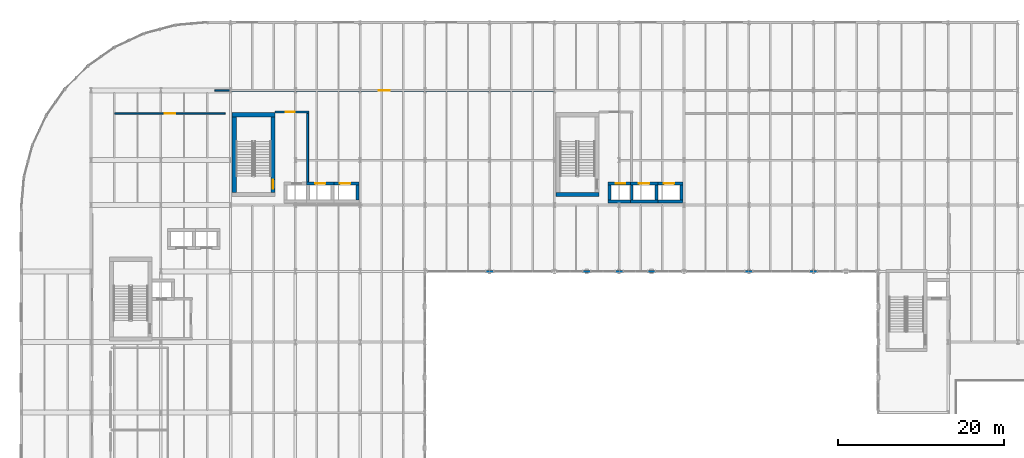
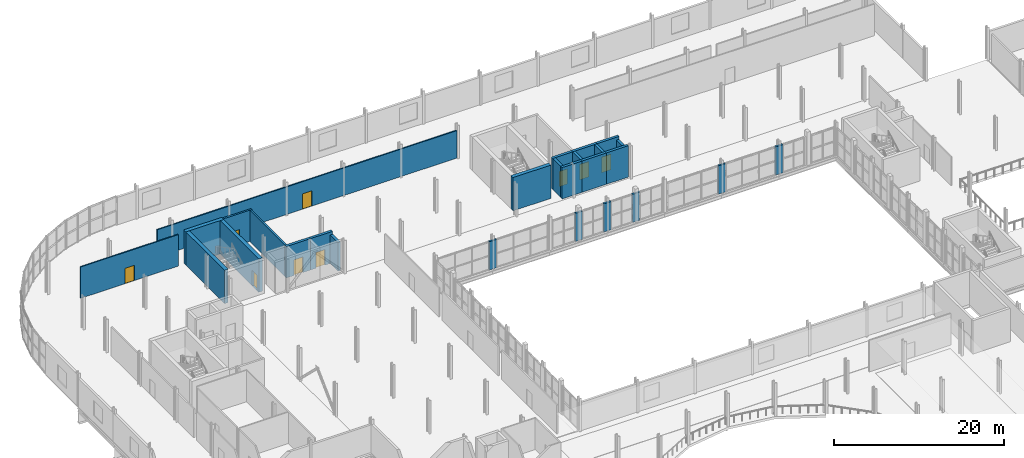
# One storey, part 51 of 63: 27 walls, 9 doors, 9 openings.
"""IFC4 building model written with IfcOpenShell, lengths in metres."""

from ifc_helpers import new_model, si_unit, direction, frame, frame_2d, origin, place, context, subcontext, project, spatial, rectangle, extrude, material, layer, layer_set, type_object, element, fill, save


model = new_model("IFC4")

# Units and contexts
model_context = context("Model", 3, precision=1e-05, world=origin(), true_north=direction((0.0, 1.0)))
body_context = subcontext(model_context, "Body", "Model", "MODEL_VIEW")
ifc_project = project(units=[si_unit("LENGTHUNIT", "METRE"), si_unit("AREAUNIT", "SQUARE_METRE"), si_unit("VOLUMEUNIT", "CUBIC_METRE"), si_unit("PLANEANGLEUNIT", "RADIAN"), si_unit("MASSUNIT", "GRAM", prefix="KILO")], contexts=[model_context])

# Site, building, storey
site_placement = place(None, origin())
site = spatial("IfcSite", under=ifc_project, at=site_placement, CompositionType="ELEMENT")
building_placement = place(site_placement, origin())
building = spatial("IfcBuilding", under=site, at=building_placement, Name="Sefraquen Railside Congress Hotel", CompositionType="ELEMENT")
storey_placement = place(building_placement, frame((0.0, 0.0, 11.39990234375)))
storey = spatial("IfcBuildingStorey", under=building, at=storey_placement, Name="L02", CompositionType="ELEMENT", Elevation=11.39990234375)

# Wall, opening, door
ifc_material_1 = material(Name="Concrete C50/60", Category="concrete")
ifc_layer_1 = layer(ifc_material_1, 0.35009765625)
ifc_layer_set_1 = layer_set([ifc_layer_1], Name="Concrete C50/60")
wall_type_1 = type_object("IfcWallType", Name="TW-CW-350", PredefinedType="SHEAR", material=ifc_layer_set_1)
wall_1_placement = place(storey_placement, frame((70.639892578125, 98.594970703125, 0.0), z_axis=(0.0, 0.0, 1.0), x_axis=(1.0, 0.0, 0.0)))
wall_1 = element("IfcWall", 1, at=wall_1_placement, inside=storey, type_object=wall_type_1, Name="Lift FL-03 shaft wall N L02", PredefinedType="SHEAR", context=body_context, shape_type="SweptSolid", body=[
    extrude(rectangle(XDim=2.690185546875, YDim=0.35009765625, at=frame_2d((1.34521484375, 0.0))), origin(), (0.0, 0.0, 1.0), 4.52001953125),
])
opening_1_placement = place(wall_1_placement, frame((0.969970703125, 0.0, 0.0)))
opening_1 = element("IfcOpeningElement", 2, at=opening_1_placement, cuts=wall_1, Name="Opening LD-01", PredefinedType="OPENING", context=body_context, shape_type="SweptSolid", body=[
    extrude(rectangle(XDim=1.10009765625, YDim=2.199951171875, at=frame_2d((0.550048828125, 1.10009765625))), frame((0.0, 0.18505859375, 0.0), z_axis=(0.0, -1.0, 0.0), x_axis=(1.0, 0.0, 0.0)), (0.0, 0.0, 1.0), 0.3701171875),
])
ifc_material_2 = material(Name="Brushed bronze stainless steel", Category="steel")
door_type_1 = type_object("IfcDoorType", Name="TD-LD-01", OperationType="NOTDEFINED", PredefinedType="DOOR", material=ifc_material_2)
door_1_placement = place(opening_1_placement, origin())
door_1 = element("IfcDoor", 3, at=door_1_placement, inside=storey, type_object=door_type_1, Name="Lift landing door FL-03 L02", OperationType="SLIDING_TO_LEFT", OverallHeight=2.199951171875, OverallWidth=1.10009765625, PredefinedType="DOOR", context=body_context, shape_type="SweptSolid", body=[
    extrude(rectangle(XDim=1.10009765625, YDim=2.199951171875, at=frame_2d((0.550048828125, 1.10009765625))), frame((0.0, 0.02490234375, 0.0), z_axis=(0.0, -1.0, 0.0), x_axis=(1.0, 0.0, 0.0)), (0.0, 0.0, 1.0), 0.050048828125),
])
fill(opening_1, door_1)

# Walls
wall_2_placement = place(storey_placement, frame((70.639892578125, 96.405029296875, 0.0), z_axis=(0.0, 0.0, 1.0), x_axis=(1.0, 0.0, 0.0)))
element("IfcWall", 4, at=wall_2_placement, inside=storey, type_object=wall_type_1, Name="Lift FL-03 shaft wall S L02", PredefinedType="SHEAR", context=body_context, shape_type="SweptSolid", body=[
    extrude(rectangle(XDim=2.690185546875, YDim=0.35009765625, at=frame_2d((1.34521484375, 0.0))), origin(), (0.0, 0.0, 1.0), 4.52001953125),
])
wall_3_placement = place(storey_placement, frame((70.81494140625, 96.580078125, 0.0), z_axis=(0.0, 0.0, 1.0), x_axis=(0.0, 1.0, 0.0)))
element("IfcWall", 5, at=wall_3_placement, inside=storey, type_object=wall_type_1, Name="Lift FL-03 shaft wall W L02", PredefinedType="SHEAR", context=body_context, shape_type="SweptSolid", body=[
    extrude(rectangle(XDim=1.83984375, YDim=0.35009765625, at=frame_2d((0.919921875, 0.0))), origin(), (0.0, 0.0, 1.0), 4.52001953125),
])

# Wall, opening, door
wall_4_placement = place(storey_placement, frame((34.330078125, 98.594970703125, 0.0), z_axis=(0.0, 0.0, 1.0), x_axis=(1.0, 0.0, 0.0)))
wall_4 = element("IfcWall", 6, at=wall_4_placement, inside=storey, type_object=wall_type_1, Name="Lift PL-03 shaft wall N L02", PredefinedType="SHEAR", context=body_context, shape_type="SweptSolid", body=[
    extrude(rectangle(XDim=3.33984375, YDim=0.35009765625, at=frame_2d((1.669921875, 0.0))), origin(), (0.0, 0.0, 1.0), 4.52001953125),
])
opening_2_placement = place(wall_4_placement, frame((1.044921875, 0.0, 0.0)))
opening_2 = element("IfcOpeningElement", 7, at=opening_2_placement, cuts=wall_4, Name="Opening LD-02", PredefinedType="OPENING", context=body_context, shape_type="SweptSolid", body=[
    extrude(rectangle(XDim=1.25, YDim=2.25, at=frame_2d((0.625, 1.125))), frame((0.0, 0.18505859375, 0.0), z_axis=(0.0, -1.0, 0.0), x_axis=(1.0, 0.0, 0.0)), (0.0, 0.0, 1.0), 0.3701171875),
])
ifc_material_3 = material(Name="Brushed stainless steel", Category="steel")
door_type_2 = type_object("IfcDoorType", Name="TD-LD-02", OperationType="NOTDEFINED", PredefinedType="DOOR", material=ifc_material_3)
door_2_placement = place(opening_2_placement, origin())
door_2 = element("IfcDoor", 8, at=door_2_placement, inside=storey, type_object=door_type_2, Name="Lift landing door PL-03 L02", OperationType="SLIDING_TO_LEFT", OverallHeight=2.25, OverallWidth=1.25, PredefinedType="DOOR", context=body_context, shape_type="SweptSolid", body=[
    extrude(rectangle(XDim=1.25, YDim=2.25, at=frame_2d((0.625, 1.125))), frame((0.0, 0.02490234375, 0.0), z_axis=(0.0, -1.0, 0.0), x_axis=(1.0, 0.0, 0.0)), (0.0, 0.0, 1.0), 0.050048828125),
])
fill(opening_2, door_2)

wall_5_placement = place(storey_placement, frame((37.669921875, 98.594970703125, 0.0), z_axis=(0.0, 0.0, 1.0), x_axis=(1.0, 0.0, 0.0)))
wall_5 = element("IfcWall", 9, at=wall_5_placement, inside=storey, type_object=wall_type_1, Name="Lift PL-04 shaft wall N L02", PredefinedType="SHEAR", context=body_context, shape_type="SweptSolid", body=[
    extrude(rectangle(XDim=2.989990234375, YDim=0.35009765625, at=frame_2d((1.4951171875, 0.0))), origin(), (0.0, 0.0, 1.0), 4.52001953125),
])
opening_3_placement = place(wall_5_placement, frame((0.695068359375, 0.0, 0.0)))
opening_3 = element("IfcOpeningElement", 10, at=opening_3_placement, cuts=wall_5, Name="Opening LD-02", PredefinedType="OPENING", context=body_context, shape_type="SweptSolid", body=[
    extrude(rectangle(XDim=1.25, YDim=2.25, at=frame_2d((0.625, 1.125))), frame((0.0, 0.18505859375, 0.0), z_axis=(0.0, -1.0, 0.0), x_axis=(1.0, 0.0, 0.0)), (0.0, 0.0, 1.0), 0.3701171875),
])
door_3_placement = place(opening_3_placement, origin())
door_3 = element("IfcDoor", 11, at=door_3_placement, inside=storey, type_object=door_type_2, Name="Lift landing door PL-04 L02", OperationType="SLIDING_TO_LEFT", OverallHeight=2.25, OverallWidth=1.25, PredefinedType="DOOR", context=body_context, shape_type="SweptSolid", body=[
    extrude(rectangle(XDim=1.25, YDim=2.25, at=frame_2d((0.625, 1.125))), frame((0.0, 0.02490234375, 0.0), z_axis=(0.0, -1.0, 0.0), x_axis=(1.0, 0.0, 0.0)), (0.0, 0.0, 1.0), 0.050048828125),
])
fill(opening_3, door_3)

# Wall
wall_6_placement = place(storey_placement, frame((40.485107421875, 96.580078125, 0.0), z_axis=(0.0, 0.0, 1.0), x_axis=(0.0, 1.0, 0.0)))
element("IfcWall", 12, at=wall_6_placement, inside=storey, type_object=wall_type_1, Name="Lift PL-04 shaft wall E L02", PredefinedType="SHEAR", context=body_context, shape_type="SweptSolid", body=[
    extrude(rectangle(XDim=1.83984375, YDim=0.35009765625, at=frame_2d((0.919921875, 0.0))), origin(), (0.0, 0.0, 1.0), 4.110107421875),
])

# Wall, opening, door
wall_7_placement = place(storey_placement, frame((73.330078125, 98.594970703125, 0.0), z_axis=(0.0, 0.0, 1.0), x_axis=(1.0, 0.0, 0.0)))
wall_7 = element("IfcWall", 13, at=wall_7_placement, inside=storey, type_object=wall_type_1, Name="Lift PL-05 shaft wall N L02", PredefinedType="SHEAR", context=body_context, shape_type="SweptSolid", body=[
    extrude(rectangle(XDim=3.33984375, YDim=0.35009765625, at=frame_2d((1.669921875, 0.0))), origin(), (0.0, 0.0, 1.0), 4.52001953125),
])
opening_4_placement = place(wall_7_placement, frame((1.044921875, 0.0, 0.0)))
opening_4 = element("IfcOpeningElement", 14, at=opening_4_placement, cuts=wall_7, Name="Opening LD-02", PredefinedType="OPENING", context=body_context, shape_type="SweptSolid", body=[
    extrude(rectangle(XDim=1.25, YDim=2.25, at=frame_2d((0.625, 1.125))), frame((0.0, 0.18505859375, 0.0), z_axis=(0.0, -1.0, 0.0), x_axis=(1.0, 0.0, 0.0)), (0.0, 0.0, 1.0), 0.3701171875),
])
door_4_placement = place(opening_4_placement, origin())
door_4 = element("IfcDoor", 15, at=door_4_placement, inside=storey, type_object=door_type_2, Name="Lift landing door PL-05 L02", OperationType="SLIDING_TO_LEFT", OverallHeight=2.25, OverallWidth=1.25, PredefinedType="DOOR", context=body_context, shape_type="SweptSolid", body=[
    extrude(rectangle(XDim=1.25, YDim=2.25, at=frame_2d((0.625, 1.125))), frame((0.0, 0.02490234375, 0.0), z_axis=(0.0, -1.0, 0.0), x_axis=(1.0, 0.0, 0.0)), (0.0, 0.0, 1.0), 0.050048828125),
])
fill(opening_4, door_4)

# Walls
wall_8_placement = place(storey_placement, frame((73.330078125, 96.405029296875, 0.0), z_axis=(0.0, 0.0, 1.0), x_axis=(1.0, 0.0, 0.0)))
element("IfcWall", 16, at=wall_8_placement, inside=storey, type_object=wall_type_1, Name="Lift PL-05 shaft wall S L02", PredefinedType="SHEAR", context=body_context, shape_type="SweptSolid", body=[
    extrude(rectangle(XDim=3.33984375, YDim=0.35009765625, at=frame_2d((1.669921875, 0.0))), origin(), (0.0, 0.0, 1.0), 4.52001953125),
])
for number, where, z_axis, x_axis, name in (
    (17, (73.5048828125, 96.580078125, 0.0), (0.0, 0.0, 1.0), (0.0, 1.0, 0.0), "Lift PL-05 shaft wall W L02"),
    (18, (76.4951171875, 96.580078125, 0.0), (0.0, 0.0, 1.0), (0.0, 1.0, 0.0), "Lift PL-05 shaft wall E L02"),
):
    element("IfcWall", number, at=place(storey_placement, frame(where, z_axis=z_axis, x_axis=x_axis)), inside=storey, type_object=wall_type_1, Name=name, PredefinedType="SHEAR", context=body_context, shape_type="SweptSolid", body=[
        extrude(rectangle(XDim=1.83984375, YDim=0.35009765625, at=frame_2d((0.919921875, 0.0))), origin(), (0.0, 0.0, 1.0), 4.52001953125),
    ])

# Wall, opening, door
wall_9_placement = place(storey_placement, frame((76.669921875, 98.594970703125, 0.0), z_axis=(0.0, 0.0, 1.0), x_axis=(1.0, 0.0, 0.0)))
wall_9 = element("IfcWall", 19, at=wall_9_placement, inside=storey, type_object=wall_type_1, Name="Lift PL-06 shaft wall N L02", PredefinedType="SHEAR", context=body_context, shape_type="SweptSolid", body=[
    extrude(rectangle(XDim=2.989990234375, YDim=0.35009765625, at=frame_2d((1.4951171875, 0.0))), origin(), (0.0, 0.0, 1.0), 4.52001953125),
])
opening_5_placement = place(wall_9_placement, frame((0.695068359375, 0.0, 0.0)))
opening_5 = element("IfcOpeningElement", 20, at=opening_5_placement, cuts=wall_9, Name="Opening LD-02", PredefinedType="OPENING", context=body_context, shape_type="SweptSolid", body=[
    extrude(rectangle(XDim=1.25, YDim=2.25, at=frame_2d((0.625, 1.125))), frame((0.0, 0.18505859375, 0.0), z_axis=(0.0, -1.0, 0.0), x_axis=(1.0, 0.0, 0.0)), (0.0, 0.0, 1.0), 0.3701171875),
])
door_5_placement = place(opening_5_placement, origin())
door_5 = element("IfcDoor", 21, at=door_5_placement, inside=storey, type_object=door_type_2, Name="Lift landing door PL-06 L02", OperationType="SLIDING_TO_LEFT", OverallHeight=2.25, OverallWidth=1.25, PredefinedType="DOOR", context=body_context, shape_type="SweptSolid", body=[
    extrude(rectangle(XDim=1.25, YDim=2.25, at=frame_2d((0.625, 1.125))), frame((0.0, 0.02490234375, 0.0), z_axis=(0.0, -1.0, 0.0), x_axis=(1.0, 0.0, 0.0)), (0.0, 0.0, 1.0), 0.050048828125),
])
fill(opening_5, door_5)

# Walls
wall_10_placement = place(storey_placement, frame((76.669921875, 96.405029296875, 0.0), z_axis=(0.0, 0.0, 1.0), x_axis=(1.0, 0.0, 0.0)))
element("IfcWall", 22, at=wall_10_placement, inside=storey, type_object=wall_type_1, Name="Lift PL-06 shaft wall S L02", PredefinedType="SHEAR", context=body_context, shape_type="SweptSolid", body=[
    extrude(rectangle(XDim=2.989990234375, YDim=0.35009765625, at=frame_2d((1.4951171875, 0.0))), origin(), (0.0, 0.0, 1.0), 4.52001953125),
])
wall_11_placement = place(storey_placement, frame((79.485107421875, 96.580078125, 0.0), z_axis=(0.0, 0.0, 1.0), x_axis=(0.0, 1.0, 0.0)))
element("IfcWall", 23, at=wall_11_placement, inside=storey, type_object=wall_type_1, Name="Lift PL-06 shaft wall E L02", PredefinedType="SHEAR", context=body_context, shape_type="SweptSolid", body=[
    extrude(rectangle(XDim=1.83984375, YDim=0.35009765625, at=frame_2d((0.919921875, 0.0))), origin(), (0.0, 0.0, 1.0), 4.110107421875),
])
ifc_layer_2 = layer(ifc_material_1, 0.5)
ifc_layer_set_2 = layer_set([ifc_layer_2], Name="Concrete C50/60")
wall_type_2 = type_object("IfcWallType", Name="TW-CW-500", PredefinedType="SHEAR", material=ifc_layer_set_2)
wall_12_placement = place(storey_placement, frame((25.39990234375, 106.862060546875, 0.0), z_axis=(0.0, 0.0, 1.0), x_axis=(1.0, 0.0, 0.0)))
element("IfcWall", 24, at=wall_12_placement, inside=storey, type_object=wall_type_2, Name="Core shear wall ST-H02 N L02", PredefinedType="SHEAR", context=body_context, shape_type="SweptSolid", body=[
    extrude(rectangle(XDim=5.16015625, YDim=0.5, at=frame_2d((2.580078125, 0.0))), origin(), (0.0, 0.0, 1.0), 4.800048828125),
])
wall_13_placement = place(storey_placement, frame((25.64990234375, 97.5, 0.0), z_axis=(0.0, 0.0, 1.0), x_axis=(0.0, 1.0, 0.0)))
element("IfcWall", 25, at=wall_13_placement, inside=storey, type_object=wall_type_2, Name="Core shear wall ST-H02 W L02", PredefinedType="SHEAR", context=body_context, shape_type="SweptSolid", body=[
    extrude(rectangle(XDim=9.112060546875, YDim=0.5, at=frame_2d((4.55615234375, 0.0))), origin(), (0.0, 0.0, 1.0), 4.800048828125),
])

# Wall, opening, door
wall_14_placement = place(storey_placement, frame((30.31005859375, 97.5, 0.0), z_axis=(0.0, 0.0, 1.0), x_axis=(0.0, 1.0, 0.0)))
wall_14 = element("IfcWall", 26, at=wall_14_placement, inside=storey, type_object=wall_type_2, Name="Core shear wall ST-H02 E L02", PredefinedType="SHEAR", context=body_context, shape_type="SweptSolid", body=[
    extrude(rectangle(XDim=9.112060546875, YDim=0.5, at=frame_2d((4.55615234375, 0.0))), origin(), (0.0, 0.0, 1.0), 4.800048828125),
])
opening_6_placement = place(wall_14_placement, frame((0.43994140625, 0.0, 0.0)))
opening_6 = element("IfcOpeningElement", 27, at=opening_6_placement, cuts=wall_14, Name="Opening FD-04", PredefinedType="OPENING", context=body_context, shape_type="SweptSolid", body=[
    extrude(rectangle(XDim=1.10009765625, YDim=2.199951171875, at=frame_2d((0.550048828125, 1.10009765625))), frame((0.0, 0.260009765625, 0.0), z_axis=(0.0, -1.0, 0.0), x_axis=(1.0, 0.0, 0.0)), (0.0, 0.0, 1.0), 0.52001953125),
])
ifc_material_4 = material(Name="Fire-rated steel", Category="steel")
door_type_3 = type_object("IfcDoorType", Name="TD-FD-04", OperationType="NOTDEFINED", PredefinedType="DOOR", material=ifc_material_4)
door_6_placement = place(opening_6_placement, origin())
door_6 = element("IfcDoor", 28, at=door_6_placement, inside=storey, type_object=door_type_3, Name="Pressurized stair ST-H02 fire door L02", OperationType="SINGLE_SWING_RIGHT", OverallHeight=2.199951171875, OverallWidth=1.10009765625, PredefinedType="DOOR", context=body_context, shape_type="SweptSolid", body=[
    extrude(rectangle(XDim=1.10009765625, YDim=2.199951171875, at=frame_2d((0.550048828125, 1.10009765625))), frame((0.0, 0.02490234375, 0.0), z_axis=(0.0, -1.0, 0.0), x_axis=(1.0, 0.0, 0.0)), (0.0, 0.0, 1.0), 0.050048828125),
])
fill(opening_6, door_6)

# Walls
wall_15_placement = place(storey_placement, frame((64.39990234375, 97.25, 0.0), z_axis=(0.0, 0.0, 1.0), x_axis=(1.0, 0.0, 0.0)))
element("IfcWall", 29, at=wall_15_placement, inside=storey, type_object=wall_type_2, Name="Core shear wall ST-H03 S L02", PredefinedType="SHEAR", context=body_context, shape_type="SweptSolid", body=[
    extrude(rectangle(XDim=5.16015625, YDim=0.5, at=frame_2d((2.580078125, 0.0))), origin(), (0.0, 0.0, 1.0), 4.800048828125),
])
ifc_material_5 = material(Name="Ochre Rabat calcarenite limestone and Concrete C40/50 backing", Category="masonry")
ifc_layer_3 = layer(ifc_material_5, 0.280029296875)
ifc_layer_set_3 = layer_set([ifc_layer_3], Name="Ochre Rabat calcarenite limestone and Concrete C40/50 backing")
wall_type_3 = type_object("IfcWallType", Name="TW-EW-280", PredefinedType="STANDARD", material=ifc_layer_set_3)
for number, where, z_axis, x_axis, name in (
    (30, (55.919921875, 88.0, 0.0), (0.0, 0.0, 1.0), (1.0, 0.0, 0.0), "Courtyard north gallery curtain wall L02-1 column pier closure 1"),
    (31, (67.6201171875, 88.0, 0.0), (0.0, 0.0, 1.0), (1.0, 0.0, 0.0), "Courtyard north gallery curtain wall L02-2 column pier closure 1"),
    (32, (71.52001953125, 88.0, 0.0), (0.0, 0.0, 1.0), (1.0, 0.0, 0.0), "Courtyard north gallery curtain wall L02-2 column pier closure 2"),
    (33, (75.419921875, 88.0, 0.0), (0.0, 0.0, 1.0), (1.0, 0.0, 0.0), "Courtyard north gallery curtain wall L02-2 column pier closure 3"),
    (34, (87.1201171875, 88.0, 0.0), (0.0, 0.0, 1.0), (1.0, 0.0, 0.0), "Courtyard north gallery curtain wall L02-3 column pier closure 1"),
    (35, (94.919921875, 88.0, 0.0), (0.0, 0.0, 1.0), (1.0, 0.0, 0.0), "Courtyard north gallery curtain wall L02-3 column pier closure 2"),
):
    element("IfcWall", number, at=place(storey_placement, frame(where, z_axis=z_axis, x_axis=x_axis)), inside=storey, type_object=wall_type_3, Name=name, PredefinedType="STANDARD", context=body_context, shape_type="SweptSolid", body=[
        extrude(rectangle(XDim=0.9599609375, YDim=0.260009765625, at=frame_2d((0.47998046875, 0.0))), origin(), (0.0, 0.0, 1.0), 4.06005859375),
    ])
ifc_material_6 = material(Name="Concrete C40/50", Category="concrete")
ifc_layer_4 = layer(ifc_material_6, 0.239990234375)
ifc_layer_set_4 = layer_set([ifc_layer_4], Name="Concrete C40/50")
wall_type_4 = type_object("IfcWallType", Name="TW-FW-240", PredefinedType="STANDARD", material=ifc_layer_set_4)
wall_16_placement = place(storey_placement, frame((34.47998046875, 98.780029296875, 0.0), z_axis=(0.0, 0.0, 1.0), x_axis=(0.0, 1.0, 0.0)))
element("IfcWall", 36, at=wall_16_placement, inside=storey, type_object=wall_type_4, Name="Firefighting Lift Lobby FFL-02 east fire wall L02", PredefinedType="STANDARD", context=body_context, shape_type="SweptSolid", body=[
    extrude(rectangle(XDim=8.239990234375, YDim=0.239990234375, at=frame_2d((4.1201171875, 0.0))), origin(), (0.0, 0.0, 1.0), 4.52001953125),
])

# Wall, opening, door
wall_17_placement = place(storey_placement, frame((30.56005859375, 107.199951171875, 0.0), z_axis=(0.0, 0.0, 1.0), x_axis=(1.0, 0.0, 0.0)))
wall_17 = element("IfcWall", 37, at=wall_17_placement, inside=storey, type_object=wall_type_4, Name="Firefighting Lift Lobby FFL-02 EI 120 separation wall L02", PredefinedType="STANDARD", context=body_context, shape_type="SweptSolid", body=[
    extrude(rectangle(XDim=4.099853515625, YDim=0.239990234375, at=frame_2d((2.0498046875, 0.0))), origin(), (0.0, 0.0, 1.0), 4.52001953125),
])
opening_7_placement = place(wall_17_placement, frame((1.300048828125, 0.0, 0.0)))
opening_7 = element("IfcOpeningElement", 38, at=opening_7_placement, cuts=wall_17, Name="Opening FD-04", PredefinedType="OPENING", context=body_context, shape_type="SweptSolid", body=[
    extrude(rectangle(XDim=1.10009765625, YDim=2.199951171875, at=frame_2d((0.550048828125, 1.10009765625))), frame((0.0, 0.1298828125, 0.0), z_axis=(0.0, -1.0, 0.0), x_axis=(1.0, 0.0, 0.0)), (0.0, 0.0, 1.0), 0.260009765625),
])
door_7_placement = place(opening_7_placement, origin())
door_7 = element("IfcDoor", 39, at=door_7_placement, inside=storey, type_object=door_type_3, Name="Firefighting Lift Lobby FFL-02 self-closing fire door L02", OperationType="SINGLE_SWING_RIGHT", OverallHeight=2.199951171875, OverallWidth=1.10009765625, PredefinedType="DOOR", context=body_context, shape_type="SweptSolid", body=[
    extrude(rectangle(XDim=1.10009765625, YDim=2.199951171875, at=frame_2d((0.550048828125, 1.10009765625))), frame((0.0, 0.02490234375, 0.0), z_axis=(0.0, -1.0, 0.0), x_axis=(1.0, 0.0, 0.0)), (0.0, 0.0, 1.0), 0.050048828125),
])
fill(opening_7, door_7)

ifc_material_7 = material(Name="Moisture-resistant gypsum board", Category="gypsum")
ifc_layer_5 = layer(ifc_material_7, 0.159912109375)
ifc_layer_set_5 = layer_set([ifc_layer_5], Name="Moisture-resistant gypsum board")
wall_type_5 = type_object("IfcWallType", Name="TW-PW-160", PredefinedType="PARTITIONING", material=ifc_layer_set_5)
wall_18_placement = place(storey_placement, frame((23.300048828125, 109.800048828125, 0.0), z_axis=(0.0, 0.0, 1.0), x_axis=(1.0, 0.0, 0.0)))
wall_18 = element("IfcWall", 40, at=wall_18_placement, inside=storey, type_object=wall_type_5, Name="Diplomatic Bilateral Briefing Room enclosure wall", PredefinedType="PARTITIONING", context=body_context, shape_type="SweptSolid", body=[
    extrude(rectangle(XDim=40.800048828125, YDim=0.159912109375, at=frame_2d((20.39990234375, 0.0))), origin(), (0.0, 0.0, 1.0), 3.960205078125),
])
opening_8_placement = place(wall_18_placement, frame((19.75, 0.0, 0.0)))
opening_8 = element("IfcOpeningElement", 41, at=opening_8_placement, cuts=wall_18, Name="Opening MD-02", PredefinedType="OPENING", context=body_context, shape_type="SweptSolid", body=[
    extrude(rectangle(XDim=1.300048828125, YDim=2.199951171875, at=frame_2d((0.64990234375, 1.10009765625))), frame((0.0, 0.08984375, 0.0), z_axis=(0.0, -1.0, 0.0), x_axis=(1.0, 0.0, 0.0)), (0.0, 0.0, 1.0), 0.179931640625),
])
ifc_material_8 = material(Name="Acoustic cedar veneer", Category="wood")
door_type_4 = type_object("IfcDoorType", Name="TD-MD-02", OperationType="NOTDEFINED", PredefinedType="DOOR", material=ifc_material_8)
door_8_placement = place(opening_8_placement, origin())
door_8 = element("IfcDoor", 42, at=door_8_placement, inside=storey, type_object=door_type_4, Name="Diplomatic Bilateral Briefing Room entrance door", OperationType="SINGLE_SWING_LEFT", OverallHeight=2.199951171875, OverallWidth=1.300048828125, PredefinedType="DOOR", context=body_context, shape_type="SweptSolid", body=[
    extrude(rectangle(XDim=1.300048828125, YDim=2.199951171875, at=frame_2d((0.64990234375, 1.10009765625))), frame((0.0, 0.02490234375, 0.0), z_axis=(0.0, -1.0, 0.0), x_axis=(1.0, 0.0, 0.0)), (0.0, 0.0, 1.0), 0.050048828125),
])
fill(opening_8, door_8)

wall_19_placement = place(storey_placement, frame((11.25, 107.0, 0.0), z_axis=(0.0, 0.0, 1.0), x_axis=(1.0, 0.0, 0.0)))
wall_19 = element("IfcWall", 43, at=wall_19_placement, inside=storey, type_object=wall_type_5, Name="Rotunda Delegates Club Lounge enclosure wall", PredefinedType="PARTITIONING", context=body_context, shape_type="SweptSolid", body=[
    extrude(rectangle(XDim=13.300048828125, YDim=0.159912109375, at=frame_2d((6.64990234375, 0.0))), origin(), (0.0, 0.0, 1.0), 4.52001953125),
])
opening_9_placement = place(wall_19_placement, frame((6.0, 0.0, 0.0)))
opening_9 = element("IfcOpeningElement", 44, at=opening_9_placement, cuts=wall_19, Name="Opening MD-02", PredefinedType="OPENING", context=body_context, shape_type="SweptSolid", body=[
    extrude(rectangle(XDim=1.300048828125, YDim=2.199951171875, at=frame_2d((0.64990234375, 1.10009765625))), frame((0.0, 0.08984375, 0.0), z_axis=(0.0, -1.0, 0.0), x_axis=(1.0, 0.0, 0.0)), (0.0, 0.0, 1.0), 0.179931640625),
])
door_9_placement = place(opening_9_placement, origin())
door_9 = element("IfcDoor", 45, at=door_9_placement, inside=storey, type_object=door_type_4, Name="Rotunda Delegates Club Lounge entrance door", OperationType="SINGLE_SWING_LEFT", OverallHeight=2.199951171875, OverallWidth=1.300048828125, PredefinedType="DOOR", context=body_context, shape_type="SweptSolid", body=[
    extrude(rectangle(XDim=1.300048828125, YDim=2.199951171875, at=frame_2d((0.64990234375, 1.10009765625))), frame((0.0, 0.02490234375, 0.0), z_axis=(0.0, -1.0, 0.0), x_axis=(1.0, 0.0, 0.0)), (0.0, 0.0, 1.0), 0.050048828125),
])
fill(opening_9, door_9)

save(model, "model.ifc")
